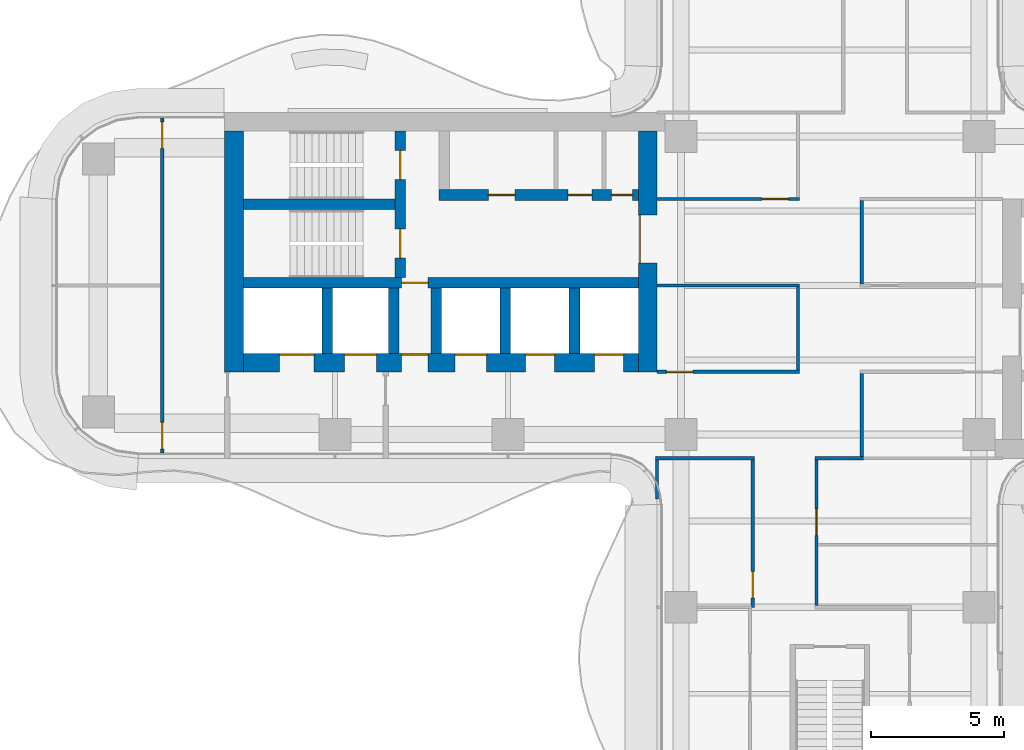
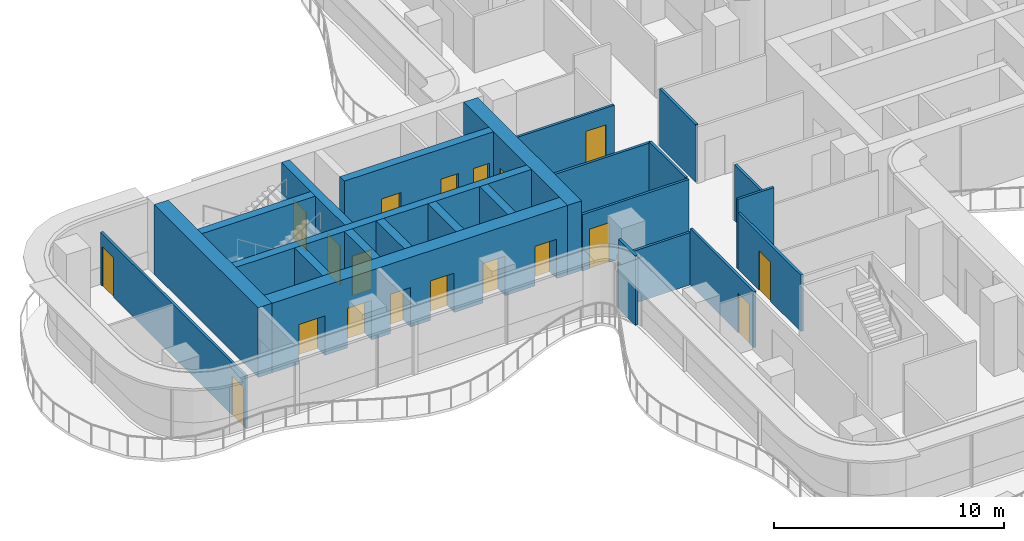
# One storey, part 13 of 18: 24 walls, 19 doors, 19 openings.
"""IFC4 building model written with IfcOpenShell, lengths in metres."""

from ifc_helpers import new_model, si_unit, direction, frame, frame_2d, origin, place, context, subcontext, project, spatial, rectangle, extrude, source, transform, mapped, material, layer, layer_set, type_object, element, fill, save


model = new_model("IFC4")

# Units and contexts
model_context = context("Model", 3, precision=1e-05, world=origin(), true_north=direction((0.0, 1.0)))
body_context = subcontext(model_context, "Body", "Model", "MODEL_VIEW")
ifc_project = project(units=[si_unit("LENGTHUNIT", "METRE"), si_unit("AREAUNIT", "SQUARE_METRE"), si_unit("VOLUMEUNIT", "CUBIC_METRE"), si_unit("PLANEANGLEUNIT", "RADIAN"), si_unit("MASSUNIT", "GRAM", prefix="KILO")], contexts=[model_context])

# Site, building, storey
site_placement = place(None, origin())
site = spatial("IfcSite", under=ifc_project, at=site_placement, CompositionType="ELEMENT")
building_placement = place(site_placement, origin())
building = spatial("IfcBuilding", under=site, at=building_placement, Name="Trellis Farm Tower", CompositionType="ELEMENT")
storey_placement = place(building_placement, frame((0.0, 0.0, 189.300048828125)))
storey = spatial("IfcBuildingStorey", under=building, at=storey_placement, Name="L41", CompositionType="ELEMENT", Elevation=189.300048828125)

# Wall, opening, door
ifc_material_1 = material(Name="Concrete C70/85", Category="concrete")
ifc_layer_1 = layer(ifc_material_1, 0.699951171875)
ifc_layer_set_1 = layer_set([ifc_layer_1], Name="CORE OUTER WALL 700 CONCRETE C70/85")
wall_type_1 = type_object("IfcWallType", Name="CORE OUTER WALL 700 CONCRETE C70/85", PredefinedType="SHEAR", material=ifc_layer_set_1)
shared_shape_1 = source(origin(), body_context, "Body", "SweptSolid", [
    extrude(rectangle(XDim=9.050048828125, YDim=0.699951171875, at=frame_2d((4.52490234375, 0.0))), origin(), (0.0, 0.0, 1.0), 3.699951171875),
])
wall_1_placement = place(storey_placement, frame((-6.85009765625, 5.800048828125, 0.0), z_axis=(0.0, 0.0, 1.0), x_axis=(0.0, -1.0, 0.0)))
wall_1 = element("IfcWall", 1, at=wall_1_placement, inside=storey, type_object=wall_type_1, Name="Core wall", PredefinedType="SHEAR", context=body_context, shape_type="MappedRepresentation", body=[
    mapped(shared_shape_1, transform((0.0, 0.0, 0.0))),
])
shared_shape_2 = source(origin(), body_context, "Body", "SweptSolid", [
    extrude(rectangle(XDim=1.800048828125, YDim=2.10009765625, at=frame_2d((0.89990234375, 1.050048828125))), frame((0.0, 0.360107421875, 0.0), z_axis=(0.0, -1.0, 0.0), x_axis=(1.0, 0.0, 0.0)), (0.0, 0.0, 1.0), 0.72021484375),
])
opening_1_placement = place(wall_1_placement, frame((3.14990234375, 0.0, 0.0)))
opening_1 = element("IfcOpeningElement", 2, at=opening_1_placement, cuts=wall_1, Name="Opening DC87", PredefinedType="OPENING", context=body_context, shape_type="MappedRepresentation", body=[
    mapped(shared_shape_2, transform((0.0, 0.0, 0.0))),
])
ifc_material_2 = material(Name="Steel", Category="steel")
door_type_1 = type_object("IfcDoorType", Name="CORE FIRE DOOR DOUBLE 1800 X 2100", OperationType="DOUBLE_DOOR_SINGLE_SWING", PredefinedType="DOOR", material=ifc_material_2)
shared_shape_3 = source(origin(), body_context, "Body", "SweptSolid", [
    extrude(rectangle(XDim=1.800048828125, YDim=2.10009765625, at=frame_2d((0.89990234375, 1.050048828125))), frame((0.0, -0.27490234375, 0.0), z_axis=(0.0, -1.0, 0.0), x_axis=(1.0, 0.0, 0.0)), (0.0, 0.0, 1.0), 0.050048828125),
])
door_1_placement = place(opening_1_placement, origin())
door_1 = element("IfcDoor", 3, at=door_1_placement, inside=storey, type_object=door_type_1, Name="Core door", OperationType="DOUBLE_DOOR_SINGLE_SWING", OverallHeight=2.10009765625, OverallWidth=1.800048828125, PredefinedType="DOOR", context=body_context, shape_type="MappedRepresentation", body=[
    mapped(shared_shape_3, transform((0.0, 0.0, 0.0))),
])
fill(opening_1, door_1)

# Walls
wall_2_placement = place(storey_placement, frame((-22.39990234375, 5.800048828125, 0.0), z_axis=(0.0, 0.0, 1.0), x_axis=(0.0, -1.0, 0.0)))
element("IfcWall", 4, at=wall_2_placement, inside=storey, type_object=wall_type_1, Name="Core wall", PredefinedType="SHEAR", context=body_context, shape_type="MappedRepresentation", body=[
    mapped(shared_shape_1, transform((0.0, 0.0, 0.0))),
])
ifc_layer_2 = layer(ifc_material_1, 0.39990234375)
ifc_layer_set_2 = layer_set([ifc_layer_2], Name="CORE INNER WALL 400 CONCRETE C70/85")
wall_type_2 = type_object("IfcWallType", Name="CORE INNER WALL 400 CONCRETE C70/85", PredefinedType="SHEAR", material=ifc_layer_set_2)
shared_shape_4 = source(origin(), body_context, "Body", "SweptSolid", [
    extrude(rectangle(XDim=2.449951171875, YDim=0.39990234375, at=frame_2d((1.22509765625, 0.0))), origin(), (0.0, 0.0, 1.0), 3.699951171875),
])
for number, where, z_axis, x_axis, name in (
    (5, (-9.60009765625, -0.10009765625, 0.0), (0.0, 0.0, 1.0), (0.0, -1.0, 0.0), "Core wall"),
    (6, (-12.199951171875, -0.10009765625, 0.0), (0.0, 0.0, 1.0), (0.0, -1.0, 0.0), "Core wall"),
    (7, (-14.800048828125, -0.10009765625, 0.0), (0.0, 0.0, 1.0), (0.0, -1.0, 0.0), "Core wall"),
    (8, (-16.39990234375, -0.10009765625, 0.0), (0.0, 0.0, 1.0), (0.0, -1.0, 0.0), "Core wall"),
    (9, (-18.89990234375, -0.10009765625, 0.0), (0.0, 0.0, 1.0), (0.0, -1.0, 0.0), "Core wall"),
):
    element("IfcWall", number, at=place(storey_placement, frame(where, z_axis=z_axis, x_axis=x_axis)), inside=storey, type_object=wall_type_2, Name=name, PredefinedType="SHEAR", context=body_context, shape_type="MappedRepresentation", body=[
        mapped(shared_shape_4, transform((0.0, 0.0, 0.0))),
    ])

# Wall, openings, doors
shared_shape_5 = source(origin(), body_context, "Body", "SweptSolid", [
    extrude(rectangle(XDim=14.85009765625, YDim=0.699951171875, at=frame_2d((7.425048828125, 0.0))), origin(), (0.0, 0.0, 1.0), 3.699951171875),
])
wall_3_placement = place(storey_placement, frame((-7.199951171875, -2.89990234375, 0.0), z_axis=(0.0, 0.0, 1.0), x_axis=(-1.0, 0.0, 0.0)))
wall_3 = element("IfcWall", 10, at=wall_3_placement, inside=storey, type_object=wall_type_1, Name="Core wall", PredefinedType="SHEAR", context=body_context, shape_type="MappedRepresentation", body=[
    mapped(shared_shape_5, transform((0.0, 0.0, 0.0))),
])
shared_shape_6 = source(origin(), body_context, "Body", "SweptSolid", [
    extrude(rectangle(XDim=1.10009765625, YDim=2.10009765625, at=frame_2d((0.550048828125, 1.050048828125))), frame((0.0, 0.360107421875, 0.0), z_axis=(0.0, -1.0, 0.0), x_axis=(1.0, 0.0, 0.0)), (0.0, 0.0, 1.0), 0.72021484375),
])
opening_2_placement = place(wall_3_placement, frame((0.550048828125, 0.0, 0.0)))
opening_2 = element("IfcOpeningElement", 11, at=opening_2_placement, cuts=wall_3, Name="Opening LD12", PredefinedType="OPENING", context=body_context, shape_type="MappedRepresentation", body=[
    mapped(shared_shape_6, transform((0.0, 0.0, 0.0))),
])
opening_3_placement = place(wall_3_placement, frame((3.14990234375, 0.0, 0.0)))
opening_3 = element("IfcOpeningElement", 12, at=opening_3_placement, cuts=wall_3, Name="Opening LD13", PredefinedType="OPENING", context=body_context, shape_type="MappedRepresentation", body=[
    mapped(shared_shape_6, transform((0.0, 0.0, 0.0))),
])
shared_shape_7 = source(origin(), body_context, "Body", "SweptSolid", [
    extrude(rectangle(XDim=1.199951171875, YDim=2.10009765625, at=frame_2d((0.60009765625, 1.050048828125))), frame((0.0, 0.360107421875, 0.0), z_axis=(0.0, -1.0, 0.0), x_axis=(1.0, 0.0, 0.0)), (0.0, 0.0, 1.0), 0.72021484375),
])
opening_4_placement = place(wall_3_placement, frame((5.699951171875, 0.0, 0.0)))
opening_4 = element("IfcOpeningElement", 13, at=opening_4_placement, cuts=wall_3, Name="Opening LD14", PredefinedType="OPENING", context=body_context, shape_type="MappedRepresentation", body=[
    mapped(shared_shape_7, transform((0.0, 0.0, 0.0))),
])
shared_shape_8 = source(origin(), body_context, "Body", "SweptSolid", [
    extrude(rectangle(XDim=1.300048828125, YDim=2.10009765625, at=frame_2d((0.64990234375, 1.050048828125))), frame((0.0, 0.360107421875, 0.0), z_axis=(0.0, -1.0, 0.0), x_axis=(1.0, 0.0, 0.0)), (0.0, 0.0, 1.0), 0.72021484375),
])
opening_5_placement = place(wall_3_placement, frame((12.199951171875, 0.0, 0.0)))
opening_5 = element("IfcOpeningElement", 14, at=opening_5_placement, cuts=wall_3, Name="Opening LD15", PredefinedType="OPENING", context=body_context, shape_type="MappedRepresentation", body=[
    mapped(shared_shape_8, transform((0.0, 0.0, 0.0))),
])
opening_6_placement = place(wall_3_placement, frame((9.85009765625, 0.0, 0.0)))
opening_6 = element("IfcOpeningElement", 15, at=opening_6_placement, cuts=wall_3, Name="Opening LD16", PredefinedType="OPENING", context=body_context, shape_type="MappedRepresentation", body=[
    mapped(shared_shape_7, transform((0.0, 0.0, 0.0))),
])
shared_shape_9 = source(origin(), body_context, "Body", "SweptSolid", [
    extrude(rectangle(XDim=1.0, YDim=2.10009765625, at=frame_2d((0.5, 1.050048828125))), frame((0.0, 0.360107421875, 0.0), z_axis=(0.0, -1.0, 0.0), x_axis=(1.0, 0.0, 0.0)), (0.0, 0.0, 1.0), 0.72021484375),
])
opening_7_placement = place(wall_3_placement, frame((7.89990234375, 0.0, 0.0)))
opening_7 = element("IfcOpeningElement", 16, at=opening_7_placement, cuts=wall_3, Name="Opening DC92", PredefinedType="OPENING", context=body_context, shape_type="MappedRepresentation", body=[
    mapped(shared_shape_9, transform((0.0, 0.0, 0.0))),
])
door_type_2 = type_object("IfcDoorType", Name="CORE FIRE DOOR 1000 X 2100", OperationType="NOTDEFINED", PredefinedType="DOOR", material=ifc_material_2)
shared_shape_10 = source(origin(), body_context, "Body", "SweptSolid", [
    extrude(rectangle(XDim=1.0, YDim=2.10009765625, at=frame_2d((0.5, 1.050048828125))), frame((0.0, -0.27490234375, 0.0), z_axis=(0.0, -1.0, 0.0), x_axis=(1.0, 0.0, 0.0)), (0.0, 0.0, 1.0), 0.050048828125),
])
door_2_placement = place(opening_7_placement, origin())
door_2 = element("IfcDoor", 17, at=door_2_placement, inside=storey, type_object=door_type_2, Name="Core door", OperationType="SINGLE_SWING_LEFT", OverallHeight=2.10009765625, OverallWidth=1.0, PredefinedType="DOOR", context=body_context, shape_type="MappedRepresentation", body=[
    mapped(shared_shape_10, transform((0.0, 0.0, 0.0))),
])
fill(opening_7, door_2)
ifc_material_3 = material(Name="Stainless steel", Category="steel")
door_type_3 = type_object("IfcDoorType", Name="LIFT LANDING DOOR 1300 X 2100", OperationType="DOUBLE_DOOR_SLIDING", PredefinedType="DOOR", material=ifc_material_3)
shared_shape_11 = source(origin(), body_context, "Body", "SweptSolid", [
    extrude(rectangle(XDim=1.300048828125, YDim=2.10009765625, at=frame_2d((0.64990234375, 1.050048828125))), frame((0.0, -0.27490234375, 0.0), z_axis=(0.0, -1.0, 0.0), x_axis=(1.0, 0.0, 0.0)), (0.0, 0.0, 1.0), 0.050048828125),
])
door_3_placement = place(opening_5_placement, origin())
door_3 = element("IfcDoor", 18, at=door_3_placement, inside=storey, type_object=door_type_3, Name="Lift landing door", OperationType="DOUBLE_DOOR_SLIDING", OverallHeight=2.10009765625, OverallWidth=1.300048828125, PredefinedType="DOOR", context=body_context, shape_type="MappedRepresentation", body=[
    mapped(shared_shape_11, transform((0.0, 0.0, 0.0))),
])
fill(opening_5, door_3)
door_type_4 = type_object("IfcDoorType", Name="LIFT LANDING DOOR 1200 X 2100", OperationType="DOUBLE_DOOR_SLIDING", PredefinedType="DOOR", material=ifc_material_3)
shared_shape_12 = source(origin(), body_context, "Body", "SweptSolid", [
    extrude(rectangle(XDim=1.199951171875, YDim=2.10009765625, at=frame_2d((0.60009765625, 1.050048828125))), frame((0.0, -0.27490234375, 0.0), z_axis=(0.0, -1.0, 0.0), x_axis=(1.0, 0.0, 0.0)), (0.0, 0.0, 1.0), 0.050048828125),
])
door_4_placement = place(opening_4_placement, origin())
door_4 = element("IfcDoor", 19, at=door_4_placement, inside=storey, type_object=door_type_4, Name="Lift landing door", OperationType="DOUBLE_DOOR_SLIDING", OverallHeight=2.10009765625, OverallWidth=1.199951171875, PredefinedType="DOOR", context=body_context, shape_type="MappedRepresentation", body=[
    mapped(shared_shape_12, transform((0.0, 0.0, 0.0))),
])
fill(opening_4, door_4)
door_5_placement = place(opening_6_placement, origin())
door_5 = element("IfcDoor", 20, at=door_5_placement, inside=storey, type_object=door_type_4, Name="Lift landing door", OperationType="DOUBLE_DOOR_SLIDING", OverallHeight=2.10009765625, OverallWidth=1.199951171875, PredefinedType="DOOR", context=body_context, shape_type="MappedRepresentation", body=[
    mapped(shared_shape_12, transform((0.0, 0.0, 0.0))),
])
fill(opening_6, door_5)
door_type_5 = type_object("IfcDoorType", Name="LIFT LANDING DOOR 1100 X 2100", OperationType="DOUBLE_DOOR_SLIDING", PredefinedType="DOOR", material=ifc_material_3)
shared_shape_13 = source(origin(), body_context, "Body", "SweptSolid", [
    extrude(rectangle(XDim=1.10009765625, YDim=2.10009765625, at=frame_2d((0.550048828125, 1.050048828125))), frame((0.0, -0.27490234375, 0.0), z_axis=(0.0, -1.0, 0.0), x_axis=(1.0, 0.0, 0.0)), (0.0, 0.0, 1.0), 0.050048828125),
])
door_6_placement = place(opening_2_placement, origin())
door_6 = element("IfcDoor", 21, at=door_6_placement, inside=storey, type_object=door_type_5, Name="Lift landing door", OperationType="DOUBLE_DOOR_SLIDING", OverallHeight=2.10009765625, OverallWidth=1.10009765625, PredefinedType="DOOR", context=body_context, shape_type="MappedRepresentation", body=[
    mapped(shared_shape_13, transform((0.0, 0.0, 0.0))),
])
fill(opening_2, door_6)
door_7_placement = place(opening_3_placement, origin())
door_7 = element("IfcDoor", 22, at=door_7_placement, inside=storey, type_object=door_type_5, Name="Lift landing door", OperationType="DOUBLE_DOOR_SLIDING", OverallHeight=2.10009765625, OverallWidth=1.10009765625, PredefinedType="DOOR", context=body_context, shape_type="MappedRepresentation", body=[
    mapped(shared_shape_13, transform((0.0, 0.0, 0.0))),
])
fill(opening_3, door_7)

shared_shape_14 = source(origin(), body_context, "Body", "SweptSolid", [
    extrude(rectangle(XDim=7.5, YDim=0.39990234375, at=frame_2d((3.75, 0.0))), origin(), (0.0, 0.0, 1.0), 3.699951171875),
])
wall_4_placement = place(storey_placement, frame((-7.199951171875, 3.39990234375, 0.0), z_axis=(0.0, 0.0, 1.0), x_axis=(-1.0, 0.0, 0.0)))
wall_4 = element("IfcWall", 23, at=wall_4_placement, inside=storey, type_object=wall_type_2, Name="Core wall", PredefinedType="SHEAR", context=body_context, shape_type="MappedRepresentation", body=[
    mapped(shared_shape_14, transform((0.0, 0.0, 0.0))),
])
shared_shape_15 = source(origin(), body_context, "Body", "SweptSolid", [
    extrude(rectangle(XDim=0.800048828125, YDim=2.10009765625, at=frame_2d((0.39990234375, 1.050048828125))), frame((0.0, 0.2099609375, 0.0), z_axis=(0.0, -1.0, 0.0), x_axis=(1.0, 0.0, 0.0)), (0.0, 0.0, 1.0), 0.419921875),
])
opening_8_placement = place(wall_4_placement, frame((0.21240234375, 0.0, 0.0)))
opening_8 = element("IfcOpeningElement", 24, at=opening_8_placement, cuts=wall_4, Name="Opening DC137", PredefinedType="OPENING", context=body_context, shape_type="MappedRepresentation", body=[
    mapped(shared_shape_15, transform((0.0, 0.0, 0.0))),
])
shared_shape_16 = source(origin(), body_context, "Body", "SweptSolid", [
    extrude(rectangle(XDim=0.89990234375, YDim=2.10009765625, at=frame_2d((0.449951171875, 1.050048828125))), frame((0.0, 0.2099609375, 0.0), z_axis=(0.0, -1.0, 0.0), x_axis=(1.0, 0.0, 0.0)), (0.0, 0.0, 1.0), 0.419921875),
])
opening_9_placement = place(wall_4_placement, frame((1.75, 0.0, 0.0)))
opening_9 = element("IfcOpeningElement", 25, at=opening_9_placement, cuts=wall_4, Name="Opening DC146", PredefinedType="OPENING", context=body_context, shape_type="MappedRepresentation", body=[
    mapped(shared_shape_16, transform((0.0, 0.0, 0.0))),
])
shared_shape_17 = source(origin(), body_context, "Body", "SweptSolid", [
    extrude(rectangle(XDim=1.0, YDim=2.10009765625, at=frame_2d((0.5, 1.050048828125))), frame((0.0, 0.2099609375, 0.0), z_axis=(0.0, -1.0, 0.0), x_axis=(1.0, 0.0, 0.0)), (0.0, 0.0, 1.0), 0.419921875),
])
opening_10_placement = place(wall_4_placement, frame((4.637451171875, 0.0, 0.0)))
opening_10 = element("IfcOpeningElement", 26, at=opening_10_placement, cuts=wall_4, Name="Opening DC153", PredefinedType="OPENING", context=body_context, shape_type="MappedRepresentation", body=[
    mapped(shared_shape_17, transform((0.0, 0.0, 0.0))),
])
shared_shape_18 = source(origin(), body_context, "Body", "SweptSolid", [
    extrude(rectangle(XDim=1.0, YDim=2.10009765625, at=frame_2d((0.5, 1.050048828125))), frame((0.0, 0.02490234375, 0.0), z_axis=(0.0, -1.0, 0.0), x_axis=(1.0, 0.0, 0.0)), (0.0, 0.0, 1.0), 0.050048828125),
])
door_8_placement = place(opening_10_placement, origin())
door_8 = element("IfcDoor", 27, at=door_8_placement, inside=storey, type_object=door_type_2, Name="Core door", OperationType="SINGLE_SWING_LEFT", OverallHeight=2.10009765625, OverallWidth=1.0, PredefinedType="DOOR", context=body_context, shape_type="MappedRepresentation", body=[
    mapped(shared_shape_18, transform((0.0, 0.0, 0.0))),
])
fill(opening_10, door_8)
door_type_6 = type_object("IfcDoorType", Name="CORE FIRE DOOR 900 X 2100", OperationType="NOTDEFINED", PredefinedType="DOOR", material=ifc_material_2)
shared_shape_19 = source(origin(), body_context, "Body", "SweptSolid", [
    extrude(rectangle(XDim=0.89990234375, YDim=2.10009765625, at=frame_2d((0.449951171875, 1.050048828125))), frame((0.0, 0.02490234375, 0.0), z_axis=(0.0, -1.0, 0.0), x_axis=(1.0, 0.0, 0.0)), (0.0, 0.0, 1.0), 0.050048828125),
])
door_9_placement = place(opening_9_placement, origin())
door_9 = element("IfcDoor", 28, at=door_9_placement, inside=storey, type_object=door_type_6, Name="Core door", OperationType="SINGLE_SWING_RIGHT", OverallHeight=2.10009765625, OverallWidth=0.89990234375, PredefinedType="DOOR", context=body_context, shape_type="MappedRepresentation", body=[
    mapped(shared_shape_19, transform((0.0, 0.0, 0.0))),
])
fill(opening_9, door_9)
door_type_7 = type_object("IfcDoorType", Name="CORE FIRE DOOR 800 X 2100", OperationType="NOTDEFINED", PredefinedType="DOOR", material=ifc_material_2)
shared_shape_20 = source(origin(), body_context, "Body", "SweptSolid", [
    extrude(rectangle(XDim=0.800048828125, YDim=2.10009765625, at=frame_2d((0.39990234375, 1.050048828125))), frame((0.0, 0.02490234375, 0.0), z_axis=(0.0, -1.0, 0.0), x_axis=(1.0, 0.0, 0.0)), (0.0, 0.0, 1.0), 0.050048828125),
])
door_10_placement = place(opening_8_placement, origin())
door_10 = element("IfcDoor", 29, at=door_10_placement, inside=storey, type_object=door_type_7, Name="Core door", OperationType="SINGLE_SWING_LEFT", OverallHeight=2.10009765625, OverallWidth=0.800048828125, PredefinedType="DOOR", context=body_context, shape_type="MappedRepresentation", body=[
    mapped(shared_shape_20, transform((0.0, 0.0, 0.0))),
])
fill(opening_8, door_10)

# Wall, opening, door
shared_shape_21 = source(origin(), body_context, "Body", "SweptSolid", [
    extrude(rectangle(XDim=14.85009765625, YDim=0.39990234375, at=frame_2d((7.425048828125, 0.0))), origin(), (0.0, 0.0, 1.0), 3.699951171875),
])
wall_5_placement = place(storey_placement, frame((-7.199951171875, 0.10009765625, 0.0), z_axis=(0.0, 0.0, 1.0), x_axis=(-1.0, 0.0, 0.0)))
wall_5 = element("IfcWall", 30, at=wall_5_placement, inside=storey, type_object=wall_type_2, Name="Core wall", PredefinedType="SHEAR", context=body_context, shape_type="MappedRepresentation", body=[
    mapped(shared_shape_21, transform((0.0, 0.0, 0.0))),
])
opening_11_placement = place(wall_5_placement, frame((7.89990234375, 0.0, 0.0)))
opening_11 = element("IfcOpeningElement", 31, at=opening_11_placement, cuts=wall_5, Name="Opening DC91", PredefinedType="OPENING", context=body_context, shape_type="MappedRepresentation", body=[
    mapped(shared_shape_17, transform((0.0, 0.0, 0.0))),
])
door_11_placement = place(opening_11_placement, origin())
door_11 = element("IfcDoor", 32, at=door_11_placement, inside=storey, type_object=door_type_2, Name="Core door", OperationType="SINGLE_SWING_RIGHT", OverallHeight=2.10009765625, OverallWidth=1.0, PredefinedType="DOOR", context=body_context, shape_type="MappedRepresentation", body=[
    mapped(shared_shape_18, transform((0.0, 0.0, 0.0))),
])
fill(opening_11, door_11)

# Wall, openings, doors
shared_shape_22 = source(origin(), body_context, "Body", "SweptSolid", [
    extrude(rectangle(XDim=5.5, YDim=0.39990234375, at=frame_2d((2.75, 0.0))), origin(), (0.0, 0.0, 1.0), 3.699951171875),
])
wall_6_placement = place(storey_placement, frame((-16.14990234375, 5.800048828125, 0.0), z_axis=(0.0, 0.0, 1.0), x_axis=(0.0, -1.0, 0.0)))
wall_6 = element("IfcWall", 33, at=wall_6_placement, inside=storey, type_object=wall_type_2, Name="Core wall", PredefinedType="SHEAR", context=body_context, shape_type="MappedRepresentation", body=[
    mapped(shared_shape_22, transform((0.0, 0.0, 0.0))),
])
shared_shape_23 = source(origin(), body_context, "Body", "SweptSolid", [
    extrude(rectangle(XDim=1.10009765625, YDim=2.10009765625, at=frame_2d((0.550048828125, 1.050048828125))), frame((0.0, 0.2099609375, 0.0), z_axis=(0.0, -1.0, 0.0), x_axis=(1.0, 0.0, 0.0)), (0.0, 0.0, 1.0), 0.419921875),
])
opening_12_placement = place(wall_6_placement, frame((0.72509765625, 0.0, 0.0)))
opening_12 = element("IfcOpeningElement", 34, at=opening_12_placement, cuts=wall_6, Name="Opening DC88", PredefinedType="OPENING", context=body_context, shape_type="MappedRepresentation", body=[
    mapped(shared_shape_23, transform((0.0, 0.0, 0.0))),
])
opening_13_placement = place(wall_6_placement, frame((3.675048828125, 0.0, 0.0)))
opening_13 = element("IfcOpeningElement", 35, at=opening_13_placement, cuts=wall_6, Name="Opening DC89", PredefinedType="OPENING", context=body_context, shape_type="MappedRepresentation", body=[
    mapped(shared_shape_23, transform((0.0, 0.0, 0.0))),
])
door_type_8 = type_object("IfcDoorType", Name="CORE FIRE DOOR 1100 X 2100", OperationType="NOTDEFINED", PredefinedType="DOOR", material=ifc_material_2)
shared_shape_24 = source(origin(), body_context, "Body", "SweptSolid", [
    extrude(rectangle(XDim=1.10009765625, YDim=2.10009765625, at=frame_2d((0.550048828125, 1.050048828125))), frame((0.0, 0.02490234375, 0.0), z_axis=(0.0, -1.0, 0.0), x_axis=(1.0, 0.0, 0.0)), (0.0, 0.0, 1.0), 0.050048828125),
])
door_12_placement = place(opening_12_placement, origin())
door_12 = element("IfcDoor", 36, at=door_12_placement, inside=storey, type_object=door_type_8, Name="Core door", OperationType="SINGLE_SWING_RIGHT", OverallHeight=2.10009765625, OverallWidth=1.10009765625, PredefinedType="DOOR", context=body_context, shape_type="MappedRepresentation", body=[
    mapped(shared_shape_24, transform((0.0, 0.0, 0.0))),
])
fill(opening_12, door_12)
door_13_placement = place(opening_13_placement, origin())
door_13 = element("IfcDoor", 37, at=door_13_placement, inside=storey, type_object=door_type_8, Name="Core door", OperationType="SINGLE_SWING_LEFT", OverallHeight=2.10009765625, OverallWidth=1.10009765625, PredefinedType="DOOR", context=body_context, shape_type="MappedRepresentation", body=[
    mapped(shared_shape_24, transform((0.0, 0.0, 0.0))),
])
fill(opening_13, door_13)

# Walls
shared_shape_25 = source(origin(), body_context, "Body", "SweptSolid", [
    extrude(rectangle(XDim=5.699951171875, YDim=0.39990234375, at=frame_2d((2.85009765625, 0.0))), origin(), (0.0, 0.0, 1.0), 3.699951171875),
])
wall_7_placement = place(storey_placement, frame((-16.35009765625, 3.050048828125, 0.0), z_axis=(0.0, 0.0, 1.0), x_axis=(-1.0, 0.0, 0.0)))
element("IfcWall", 38, at=wall_7_placement, inside=storey, type_object=wall_type_2, Name="Core wall", PredefinedType="SHEAR", context=body_context, shape_type="MappedRepresentation", body=[
    mapped(shared_shape_25, transform((0.0, 0.0, 0.0))),
])
ifc_material_4 = material(Name="Plasterboard on steel studs, mineral wool", Category="steel")
ifc_layer_3 = layer(ifc_material_4, 0.125)
ifc_layer_set_3 = layer_set([ifc_layer_3], Name="PARTITION 125 STUD EI 60")
wall_type_3 = type_object("IfcWallType", Name="PARTITION 125 STUD EI 60", PredefinedType="PARTITIONING", material=ifc_layer_set_3)
shared_shape_26 = source(origin(), body_context, "Body", "SweptSolid", [
    extrude(rectangle(XDim=3.125, YDim=0.125, at=frame_2d((1.5625, 0.0))), origin(), (0.0, 0.0, 1.0), 3.06787109375),
])
for number, where, z_axis, x_axis, name in (
    (39, (-1.199951171875, -0.0625, 0.0), (0.0, 0.0, 1.0), (0.0, -1.0, 0.0), "Partition PW1"),
    (40, (1.199951171875, 3.1875, 0.0), (0.0, 0.0, 1.0), (0.0, -1.0, 0.0), "Partition PW1"),
):
    element("IfcWall", number, at=place(storey_placement, frame(where, z_axis=z_axis, x_axis=x_axis)), inside=storey, type_object=wall_type_3, Name=name, PredefinedType="PARTITIONING", context=body_context, shape_type="MappedRepresentation", body=[
        mapped(shared_shape_26, transform((0.0, 0.0, 0.0))),
    ])
shared_shape_27 = source(origin(), body_context, "Body", "SweptSolid", [
    extrude(rectangle(XDim=1.468994140625, YDim=0.125, at=frame_2d((0.734375, 0.0))), origin(), (0.0, 0.0, 1.0), 3.699951171875),
])
wall_8_placement = place(storey_placement, frame((-6.5, -6.5625, 0.0), z_axis=(0.0, 0.0, 1.0), x_axis=(0.0, -1.0, 0.0)))
element("IfcWall", 41, at=wall_8_placement, inside=storey, type_object=wall_type_3, Name="Partition PW1", PredefinedType="PARTITIONING", context=body_context, shape_type="MappedRepresentation", body=[
    mapped(shared_shape_27, transform((0.0, 0.0, 0.0))),
])

# Wall, openings, doors
shared_shape_28 = source(origin(), body_context, "Body", "SweptSolid", [
    extrude(rectangle(XDim=12.60009765625, YDim=0.125, at=frame_2d((6.300048828125, 0.0))), origin(), (0.0, 0.0, 1.0), 2.780029296875),
])
wall_9_placement = place(storey_placement, frame((-25.10009765625, -6.300048828125, 0.0), z_axis=(0.0, 0.0, 1.0), x_axis=(0.0, 1.0, 0.0)))
wall_9 = element("IfcWall", 42, at=wall_9_placement, inside=storey, type_object=wall_type_3, Name="Partition PW1", PredefinedType="PARTITIONING", context=body_context, shape_type="MappedRepresentation", body=[
    mapped(shared_shape_28, transform((0.0, 0.0, 0.0))),
])
shared_shape_29 = source(origin(), body_context, "Body", "SweptSolid", [
    extrude(rectangle(XDim=1.0, YDim=2.10009765625, at=frame_2d((0.5, 1.050048828125))), frame((0.0, 0.072509765625, 0.0), z_axis=(0.0, -1.0, 0.0), x_axis=(1.0, 0.0, 0.0)), (0.0, 0.0, 1.0), 0.14501953125),
])
opening_14_placement = place(wall_9_placement, frame((0.14990234375, 0.0, 0.0)))
opening_14 = element("IfcOpeningElement", 43, at=opening_14_placement, cuts=wall_9, Name="Opening D103", PredefinedType="OPENING", context=body_context, shape_type="MappedRepresentation", body=[
    mapped(shared_shape_29, transform((0.0, 0.0, 0.0))),
])
opening_15_placement = place(wall_9_placement, frame((11.449951171875, 0.0, 0.0)))
opening_15 = element("IfcOpeningElement", 44, at=opening_15_placement, cuts=wall_9, Name="Opening D109", PredefinedType="OPENING", context=body_context, shape_type="MappedRepresentation", body=[
    mapped(shared_shape_29, transform((0.0, 0.0, 0.0))),
])
ifc_material_5 = material(Name="Fire-rated timber door leaf in a hollow metal frame", Category="wood")
door_type_9 = type_object("IfcDoorType", Name="DOOR 1000x2100 FD30S", OperationType="NOTDEFINED", PredefinedType="DOOR", material=ifc_material_5)
door_14_placement = place(opening_14_placement, origin())
door_14 = element("IfcDoor", 45, at=door_14_placement, inside=storey, type_object=door_type_9, Name="Door D103", OperationType="SINGLE_SWING_LEFT", OverallHeight=2.10009765625, OverallWidth=1.0, PredefinedType="DOOR", context=body_context, shape_type="MappedRepresentation", body=[
    mapped(shared_shape_18, transform((0.0, 0.0, 0.0))),
])
fill(opening_14, door_14)
door_15_placement = place(opening_15_placement, origin())
door_15 = element("IfcDoor", 46, at=door_15_placement, inside=storey, type_object=door_type_9, Name="Door D109", OperationType="SINGLE_SWING_RIGHT", OverallHeight=2.10009765625, OverallWidth=1.0, PredefinedType="DOOR", context=body_context, shape_type="MappedRepresentation", body=[
    mapped(shared_shape_18, transform((0.0, 0.0, 0.0))),
])
fill(opening_15, door_15)

# Walls
shared_shape_30 = source(origin(), body_context, "Body", "SweptSolid", [
    extrude(rectangle(XDim=1.824951171875, YDim=0.125, at=frame_2d((0.91259765625, 0.0))), origin(), (0.0, 0.0, 1.0), 3.699951171875),
])
wall_10_placement = place(storey_placement, frame((1.262451171875, -6.5, 0.0), z_axis=(0.0, 0.0, 1.0), x_axis=(-1.0, 0.0, 0.0)))
element("IfcWall", 47, at=wall_10_placement, inside=storey, type_object=wall_type_3, Name="Partition PW1", PredefinedType="PARTITIONING", context=body_context, shape_type="MappedRepresentation", body=[
    mapped(shared_shape_30, transform((0.0, 0.0, 0.0))),
])
shared_shape_31 = source(origin(), body_context, "Body", "SweptSolid", [
    extrude(rectangle(XDim=3.72509765625, YDim=0.125, at=frame_2d((1.862548828125, 0.0))), origin(), (0.0, 0.0, 1.0), 2.780029296875),
])
wall_11_placement = place(storey_placement, frame((-2.83740234375, -6.5, 0.0), z_axis=(0.0, 0.0, 1.0), x_axis=(-1.0, 0.0, 0.0)))
element("IfcWall", 48, at=wall_11_placement, inside=storey, type_object=wall_type_3, Name="Partition PW1", PredefinedType="PARTITIONING", context=body_context, shape_type="MappedRepresentation", body=[
    mapped(shared_shape_31, transform((0.0, 0.0, 0.0))),
])

# Wall, opening, door
shared_shape_32 = source(origin(), body_context, "Body", "SweptSolid", [
    extrude(rectangle(XDim=5.47509765625, YDim=0.125, at=frame_2d((2.737548828125, 0.0))), origin(), (0.0, 0.0, 1.0), 2.996337890625),
])
wall_12_placement = place(storey_placement, frame((-0.5, -6.5625, 0.0), z_axis=(0.0, 0.0, 1.0), x_axis=(0.0, -1.0, 0.0)))
wall_12 = element("IfcWall", 49, at=wall_12_placement, inside=storey, type_object=wall_type_3, Name="Partition PW1", PredefinedType="PARTITIONING", context=body_context, shape_type="MappedRepresentation", body=[
    mapped(shared_shape_32, transform((0.0, 0.0, 0.0))),
])
opening_16_placement = place(wall_12_placement, frame((1.83740234375, 0.0, 0.0)))
opening_16 = element("IfcOpeningElement", 50, at=opening_16_placement, cuts=wall_12, Name="Opening D102", PredefinedType="OPENING", context=body_context, shape_type="MappedRepresentation", body=[
    mapped(shared_shape_29, transform((0.0, 0.0, 0.0))),
])
door_16_placement = place(opening_16_placement, origin())
door_16 = element("IfcDoor", 51, at=door_16_placement, inside=storey, type_object=door_type_9, Name="Door D102", OperationType="SINGLE_SWING_RIGHT", OverallHeight=2.10009765625, OverallWidth=1.0, PredefinedType="DOOR", context=body_context, shape_type="MappedRepresentation", body=[
    mapped(shared_shape_18, transform((0.0, 0.0, 0.0))),
])
fill(opening_16, door_16)

# Wall
shared_shape_33 = source(origin(), body_context, "Body", "SweptSolid", [
    extrude(rectangle(XDim=3.137451171875, YDim=0.125, at=frame_2d((1.56884765625, 0.0))), origin(), (0.0, 0.0, 1.0), 2.996337890625),
])
wall_13_placement = place(storey_placement, frame((1.199951171875, -3.3125, 0.0), z_axis=(0.0, 0.0, 1.0), x_axis=(0.0, -1.0, 0.0)))
element("IfcWall", 52, at=wall_13_placement, inside=storey, type_object=wall_type_3, Name="Partition PW1", PredefinedType="PARTITIONING", context=body_context, shape_type="MappedRepresentation", body=[
    mapped(shared_shape_33, transform((0.0, 0.0, 0.0))),
])

# Wall, opening, door
shared_shape_34 = source(origin(), body_context, "Body", "SweptSolid", [
    extrude(rectangle(XDim=5.53759765625, YDim=0.125, at=frame_2d((2.768798828125, 0.0))), origin(), (0.0, 0.0, 1.0), 2.996337890625),
])
wall_14_placement = place(storey_placement, frame((-2.89990234375, -12.10009765625, 0.0), z_axis=(0.0, 0.0, 1.0), x_axis=(0.0, 1.0, 0.0)))
wall_14 = element("IfcWall", 53, at=wall_14_placement, inside=storey, type_object=wall_type_3, Name="Partition PW1", PredefinedType="PARTITIONING", context=body_context, shape_type="MappedRepresentation", body=[
    mapped(shared_shape_34, transform((0.0, 0.0, 0.0))),
])
opening_17_placement = place(wall_14_placement, frame((0.35009765625, 0.0, 0.0)))
opening_17 = element("IfcOpeningElement", 54, at=opening_17_placement, cuts=wall_14, Name="Opening D101", PredefinedType="OPENING", context=body_context, shape_type="MappedRepresentation", body=[
    mapped(shared_shape_29, transform((0.0, 0.0, 0.0))),
])
door_17_placement = place(opening_17_placement, origin())
door_17 = element("IfcDoor", 55, at=door_17_placement, inside=storey, type_object=door_type_9, Name="Door D101", OperationType="SINGLE_SWING_LEFT", OverallHeight=2.10009765625, OverallWidth=1.0, PredefinedType="DOOR", context=body_context, shape_type="MappedRepresentation", body=[
    mapped(shared_shape_18, transform((0.0, 0.0, 0.0))),
])
fill(opening_17, door_17)

shared_shape_35 = source(origin(), body_context, "Body", "SweptSolid", [
    extrude(rectangle(XDim=5.362548828125, YDim=0.125, at=frame_2d((2.68115234375, 0.0))), origin(), (0.0, 0.0, 1.0), 2.996337890625),
])
wall_15_placement = place(storey_placement, frame((-1.137451171875, -3.25, 0.0), z_axis=(0.0, 0.0, 1.0), x_axis=(-1.0, 0.0, 0.0)))
wall_15 = element("IfcWall", 56, at=wall_15_placement, inside=storey, type_object=wall_type_3, Name="Partition PW1", PredefinedType="PARTITIONING", context=body_context, shape_type="MappedRepresentation", body=[
    mapped(shared_shape_35, transform((0.0, 0.0, 0.0))),
])
opening_18_placement = place(wall_15_placement, frame((4.012451171875, 0.0, 0.0)))
opening_18 = element("IfcOpeningElement", 57, at=opening_18_placement, cuts=wall_15, Name="Opening D104", PredefinedType="OPENING", context=body_context, shape_type="MappedRepresentation", body=[
    mapped(shared_shape_29, transform((0.0, 0.0, 0.0))),
])
door_18_placement = place(opening_18_placement, origin())
door_18 = element("IfcDoor", 58, at=door_18_placement, inside=storey, type_object=door_type_9, Name="Door D104", OperationType="SINGLE_SWING_RIGHT", OverallHeight=2.10009765625, OverallWidth=1.0, PredefinedType="DOOR", context=body_context, shape_type="MappedRepresentation", body=[
    mapped(shared_shape_18, transform((0.0, 0.0, 0.0))),
])
fill(opening_18, door_18)

# Wall
wall_16_placement = place(storey_placement, frame((-1.137451171875, 0.0, 0.0), z_axis=(0.0, 0.0, 1.0), x_axis=(-1.0, 0.0, 0.0)))
element("IfcWall", 59, at=wall_16_placement, inside=storey, type_object=wall_type_3, Name="Partition PW1", PredefinedType="PARTITIONING", context=body_context, shape_type="MappedRepresentation", body=[
    mapped(shared_shape_35, transform((0.0, 0.0, 0.0))),
])

# Wall, opening, door
wall_17_placement = place(storey_placement, frame((-6.5, 3.25, 0.0), z_axis=(0.0, 0.0, 1.0), x_axis=(1.0, 0.0, 0.0)))
wall_17 = element("IfcWall", 60, at=wall_17_placement, inside=storey, type_object=wall_type_3, Name="Partition PW1", PredefinedType="PARTITIONING", context=body_context, shape_type="MappedRepresentation", body=[
    mapped(shared_shape_35, transform((0.0, 0.0, 0.0))),
])
opening_19_placement = place(wall_17_placement, frame((3.949951171875, 0.0, 0.0)))
opening_19 = element("IfcOpeningElement", 61, at=opening_19_placement, cuts=wall_17, Name="Opening D108", PredefinedType="OPENING", context=body_context, shape_type="MappedRepresentation", body=[
    mapped(shared_shape_29, transform((0.0, 0.0, 0.0))),
])
door_19_placement = place(opening_19_placement, origin())
door_19 = element("IfcDoor", 62, at=door_19_placement, inside=storey, type_object=door_type_9, Name="Door D108", OperationType="SINGLE_SWING_RIGHT", OverallHeight=2.10009765625, OverallWidth=1.0, PredefinedType="DOOR", context=body_context, shape_type="MappedRepresentation", body=[
    mapped(shared_shape_18, transform((0.0, 0.0, 0.0))),
])
fill(opening_19, door_19)

save(model, "model.ifc")
